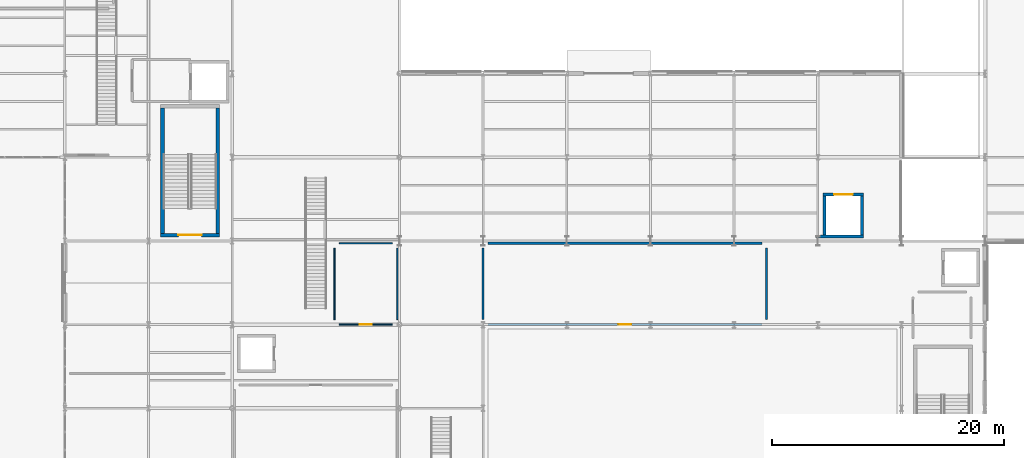
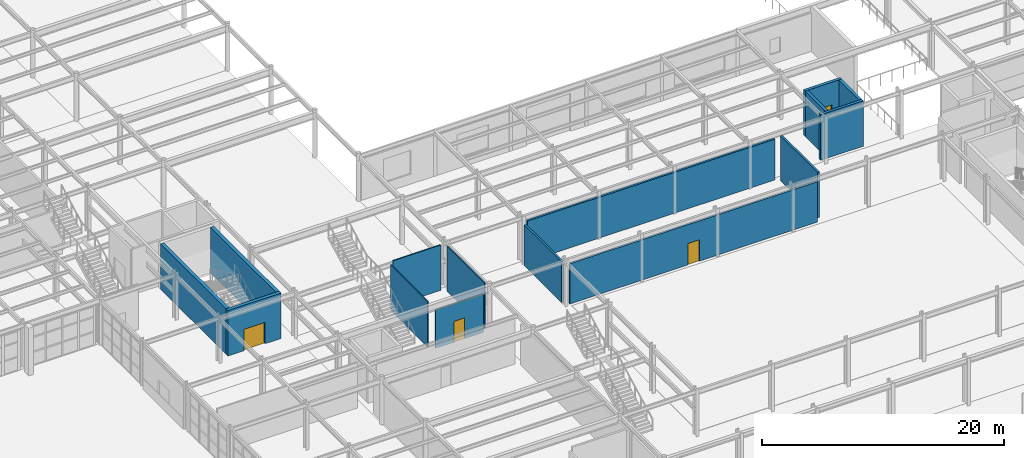
# One storey, part 59 of 83: 15 walls, 4 doors, 4 openings.
"""IFC4 building model written with IfcOpenShell, lengths in metres."""

from ifc_helpers import new_model, si_unit, direction, frame, frame_2d, origin, place, context, subcontext, project, spatial, rectangle, extrude, material, layer, layer_set, type_object, element, fill, save


model = new_model("IFC4")

# Units and contexts
model_context = context("Model", 3, precision=1e-05, world=origin(), true_north=direction((0.0, 1.0)))
body_context = subcontext(model_context, "Body", "Model", "MODEL_VIEW")
ifc_project = project(units=[si_unit("LENGTHUNIT", "METRE"), si_unit("AREAUNIT", "SQUARE_METRE"), si_unit("VOLUMEUNIT", "CUBIC_METRE"), si_unit("PLANEANGLEUNIT", "RADIAN"), si_unit("MASSUNIT", "GRAM", prefix="KILO")], contexts=[model_context])

# Site, building, storey
site_placement = place(None, origin())
site = spatial("IfcSite", under=ifc_project, at=site_placement, CompositionType="ELEMENT")
building_placement = place(site_placement, origin())
building = spatial("IfcBuilding", under=site, at=building_placement, Name="Solvadek Multi-Sports Hall", CompositionType="ELEMENT")
storey_placement = place(building_placement, origin())
storey = spatial("IfcBuildingStorey", under=building, at=storey_placement, Name="L00", CompositionType="ELEMENT", Elevation=0.0)

# Wall, opening, door
ifc_material_1 = material(Name="Autoclaved aerated concrete blockwork", Category="masonry")
ifc_layer_1 = layer(ifc_material_1, 0.10498046875, Name="Autoclaved aerated concrete blockwork")
ifc_layer_set_1 = layer_set([ifc_layer_1], Name="Autoclaved aerated concrete blockwork")
wall_type_1 = type_object("IfcWallType", Name="INT-WAL-PRT105", PredefinedType="PARTITIONING", material=ifc_layer_set_1)
wall_1_placement = place(storey_placement, frame((81.22509765625, 34.800048828125, 0.0), z_axis=(0.0, 0.0, 1.0), x_axis=(1.0, 0.0, 0.0)))
wall_1 = element("IfcWall", 1, at=wall_1_placement, inside=storey, type_object=wall_type_1, Name="L00 Partition Wall L00-12 S", PredefinedType="PARTITIONING", context=body_context, shape_type="SweptSolid", body=[
    extrude(rectangle(XDim=4.554931640625, YDim=0.10498046875, at=frame_2d((2.27734375, 0.0))), origin(), (0.0, 0.0, 1.0), 3.860107421875),
])
opening_1_placement = place(wall_1_placement, frame((1.777587890625, 0.0, 0.0)))
opening_1 = element("IfcOpeningElement", 2, at=opening_1_placement, cuts=wall_1, Name="Opening D-01", PredefinedType="OPENING", context=body_context, shape_type="SweptSolid", body=[
    extrude(rectangle(XDim=1.0, YDim=2.10009765625, at=frame_2d((0.5, 1.050048828125))), frame((0.0, 0.0625, 0.0), z_axis=(0.0, -1.0, 0.0), x_axis=(1.0, 0.0, 0.0)), (0.0, 0.0, 1.0), 0.125),
])
ifc_material_2 = material(Name="Teak hardwood timber", Category="wood")
door_type_1 = type_object("IfcDoorType", Name="INT-DOR-RM100X210", OperationType="NOTDEFINED", PredefinedType="DOOR", material=ifc_material_2)
door_1_placement = place(opening_1_placement, origin())
door_1 = element("IfcDoor", 3, at=door_1_placement, inside=storey, type_object=door_type_1, Name="L00 L00-12 Door #28", OperationType="SINGLE_SWING_LEFT", OverallHeight=2.10009765625, OverallWidth=1.0, PredefinedType="DOOR", context=body_context, shape_type="SweptSolid", body=[
    extrude(rectangle(XDim=1.0, YDim=2.10009765625, at=frame_2d((0.5, 1.050048828125))), frame((0.0, 0.02490234375, 0.0), z_axis=(0.0, -1.0, 0.0), x_axis=(1.0, 0.0, 0.0)), (0.0, 0.0, 1.0), 0.050048828125),
])
fill(opening_1, door_1)

# Walls
wall_2_placement = place(storey_placement, frame((81.22509765625, 41.800048828125, 0.0), z_axis=(0.0, 0.0, 1.0), x_axis=(1.0, 0.0, 0.0)))
element("IfcWall", 4, at=wall_2_placement, inside=storey, type_object=wall_type_1, Name="L00 Partition Wall L00-12 N", PredefinedType="PARTITIONING", context=body_context, shape_type="SweptSolid", body=[
    extrude(rectangle(XDim=4.554931640625, YDim=0.10498046875, at=frame_2d((2.27734375, 0.0))), origin(), (0.0, 0.0, 1.0), 4.56494140625),
])
for number, where, z_axis, x_axis, name in (
    (5, (80.804931640625, 35.219970703125, 0.0), (0.0, 0.0, 1.0), (0.0, 1.0, 0.0), "L00 Partition Wall L00-12 W"),
    (6, (86.199951171875, 35.219970703125, 0.0), (0.0, 0.0, 1.0), (0.0, 1.0, 0.0), "L00 Partition Wall L00-12 E"),
):
    element("IfcWall", number, at=place(storey_placement, frame(where, z_axis=z_axis, x_axis=x_axis)), inside=storey, type_object=wall_type_1, Name=name, PredefinedType="PARTITIONING", context=body_context, shape_type="SweptSolid", body=[
        extrude(rectangle(XDim=6.159912109375, YDim=0.10498046875, at=frame_2d((3.080078125, 0.0))), origin(), (0.0, 0.0, 1.0), 4.56494140625),
    ])

# Wall, opening, door
ifc_layer_2 = layer(ifc_material_1, 0.179931640625, Name="Autoclaved aerated concrete blockwork")
ifc_layer_set_2 = layer_set([ifc_layer_2], Name="Autoclaved aerated concrete blockwork")
wall_type_2 = type_object("IfcWallType", Name="INT-WAL-PRT180", PredefinedType="PARTITIONING", material=ifc_layer_set_2)
wall_3_placement = place(storey_placement, frame((94.02001953125, 34.804931640625, 0.0), z_axis=(0.0, 0.0, 1.0), x_axis=(1.0, 0.0, 0.0)))
wall_3 = element("IfcWall", 7, at=wall_3_placement, inside=storey, type_object=wall_type_2, Name="L00 Partition Wall L00-04 S", PredefinedType="PARTITIONING", context=body_context, shape_type="SweptSolid", body=[
    extrude(rectangle(XDim=23.56005859375, YDim=0.179931640625, at=frame_2d((11.780029296875, 0.0))), origin(), (0.0, 0.0, 1.0), 4.06005859375),
])
opening_2_placement = place(wall_3_placement, frame((11.22998046875, 0.0, 0.0)))
opening_2 = element("IfcOpeningElement", 8, at=opening_2_placement, cuts=wall_3, Name="Opening FD60", PredefinedType="OPENING", context=body_context, shape_type="SweptSolid", body=[
    extrude(rectangle(XDim=1.10009765625, YDim=2.14990234375, at=frame_2d((0.550048828125, 1.074951171875))), frame((0.0, 0.099853515625, 0.0), z_axis=(0.0, -1.0, 0.0), x_axis=(1.0, 0.0, 0.0)), (0.0, 0.0, 1.0), 0.199951171875),
])
ifc_material_3 = material(Name="Steel E250 (250 MPa)", Category="steel")
door_type_2 = type_object("IfcDoorType", Name="INT-DOR-FD110X215", OperationType="NOTDEFINED", PredefinedType="DOOR", material=ifc_material_3)
door_2_placement = place(opening_2_placement, origin())
door_2 = element("IfcDoor", 9, at=door_2_placement, inside=storey, type_object=door_type_2, Name="L00 L00-04 Door #24", OperationType="SINGLE_SWING_LEFT", OverallHeight=2.14990234375, OverallWidth=1.10009765625, PredefinedType="DOOR", context=body_context, shape_type="SweptSolid", body=[
    extrude(rectangle(XDim=1.10009765625, YDim=2.14990234375, at=frame_2d((0.550048828125, 1.074951171875))), frame((0.0, 0.02490234375, 0.0), z_axis=(0.0, -1.0, 0.0), x_axis=(1.0, 0.0, 0.0)), (0.0, 0.0, 1.0), 0.050048828125),
])
fill(opening_2, door_2)

# Walls
wall_4_placement = place(storey_placement, frame((94.02001953125, 41.800048828125, 0.0), z_axis=(0.0, 0.0, 1.0), x_axis=(1.0, 0.0, 0.0)))
element("IfcWall", 10, at=wall_4_placement, inside=storey, type_object=wall_type_2, Name="L00 Partition Wall L00-04 N", PredefinedType="PARTITIONING", context=body_context, shape_type="SweptSolid", body=[
    extrude(rectangle(XDim=23.56005859375, YDim=0.179931640625, at=frame_2d((11.780029296875, 0.0))), origin(), (0.0, 0.0, 1.0), 4.1201171875),
])
wall_5_placement = place(storey_placement, frame((93.60009765625, 35.22509765625, 0.0), z_axis=(0.0, 0.0, 1.0), x_axis=(0.0, 1.0, 0.0)))
element("IfcWall", 11, at=wall_5_placement, inside=storey, type_object=wall_type_2, Name="L00 Partition Wall L00-04 W", PredefinedType="PARTITIONING", context=body_context, shape_type="SweptSolid", body=[
    extrude(rectangle(XDim=6.15478515625, YDim=0.179931640625, at=frame_2d((3.077392578125, 0.0))), origin(), (0.0, 0.0, 1.0), 4.1201171875),
])
wall_6_placement = place(storey_placement, frame((118.0, 35.22509765625, 0.0), z_axis=(0.0, 0.0, 1.0), x_axis=(0.0, 1.0, 0.0)))
element("IfcWall", 12, at=wall_6_placement, inside=storey, type_object=wall_type_2, Name="L00 Partition Wall L00-04 E", PredefinedType="PARTITIONING", context=body_context, shape_type="SweptSolid", body=[
    extrude(rectangle(XDim=6.15478515625, YDim=0.179931640625, at=frame_2d((3.077392578125, 0.0))), origin(), (0.0, 0.0, 1.0), 4.56494140625),
])
ifc_material_4 = material(Name="Concrete M40", Category="concrete")
ifc_layer_3 = layer(ifc_material_4, 0.260009765625, Name="Concrete M40")
ifc_layer_set_3 = layer_set([ifc_layer_3], Name="Concrete M40")
wall_type_3 = type_object("IfcWallType", Name="INT-WAL-SHR260", PredefinedType="SHEAR", material=ifc_layer_set_3)
wall_7_placement = place(storey_placement, frame((122.25, 42.39990234375, 0.0), z_axis=(0.0, 0.0, 1.0), x_axis=(1.0, 0.0, 0.0)))
element("IfcWall", 13, at=wall_7_placement, inside=storey, type_object=wall_type_3, Name="Lift LG-01 Shaft Shear Wall L00 south", PredefinedType="SHEAR", context=body_context, shape_type="SweptSolid", body=[
    extrude(rectangle(XDim=4.080078125, YDim=0.260009765625, at=frame_2d((2.0400390625, 0.0))), origin(), (0.0, 0.0, 1.0), 4.580078125),
])

# Wall, opening, door
wall_8_placement = place(storey_placement, frame((122.8701171875, 46.0, 0.0), z_axis=(0.0, 0.0, 1.0), x_axis=(1.0, 0.0, 0.0)))
wall_8 = element("IfcWall", 14, at=wall_8_placement, inside=storey, type_object=wall_type_3, Name="Lift LG-01 Shaft Shear Wall L00 north", PredefinedType="SHEAR", context=body_context, shape_type="SweptSolid", body=[
    extrude(rectangle(XDim=3.4599609375, YDim=0.260009765625, at=frame_2d((1.72998046875, 0.0))), origin(), (0.0, 0.0, 1.0), 4.580078125),
])
opening_3_placement = place(wall_8_placement, frame((0.929931640625, 0.0, 0.0)))
opening_3 = element("IfcOpeningElement", 15, at=opening_3_placement, cuts=wall_8, Name="Opening LD-25", PredefinedType="OPENING", context=body_context, shape_type="SweptSolid", body=[
    extrude(rectangle(XDim=1.60009765625, YDim=2.300048828125, at=frame_2d((0.800048828125, 1.14990234375))), frame((0.0, 0.139892578125, 0.0), z_axis=(0.0, -1.0, 0.0), x_axis=(1.0, 0.0, 0.0)), (0.0, 0.0, 1.0), 0.280029296875),
])
door_type_3 = type_object("IfcDoorType", Name="INT-DOR-LD160X230", OperationType="DOUBLE_DOOR_SLIDING", PredefinedType="DOOR", material=ifc_material_3)
door_3_placement = place(opening_3_placement, origin())
door_3 = element("IfcDoor", 16, at=door_3_placement, inside=storey, type_object=door_type_3, Name="L00 Lift LG-01 Sliding Landing Door LD-25", OperationType="DOUBLE_DOOR_SLIDING", OverallHeight=2.300048828125, OverallWidth=1.60009765625, PredefinedType="DOOR", context=body_context, shape_type="SweptSolid", body=[
    extrude(rectangle(XDim=1.60009765625, YDim=2.300048828125, at=frame_2d((0.800048828125, 1.14990234375))), frame((0.0, 0.02490234375, 0.0), z_axis=(0.0, -1.0, 0.0), x_axis=(1.0, 0.0, 0.0)), (0.0, 0.0, 1.0), 0.050048828125),
])
fill(opening_3, door_3)

# Walls
for number, where, z_axis, x_axis, name in (
    (17, (123.0, 42.530029296875, 0.0), (0.0, 0.0, 1.0), (0.0, 1.0, 0.0), "Lift LG-01 Shaft Shear Wall L00 west"),
    (18, (126.199951171875, 42.530029296875, 0.0), (0.0, 0.0, 1.0), (0.0, 1.0, 0.0), "Lift LG-01 Shaft Shear Wall L00 east"),
):
    element("IfcWall", number, at=place(storey_placement, frame(where, z_axis=z_axis, x_axis=x_axis)), inside=storey, type_object=wall_type_3, Name=name, PredefinedType="SHEAR", context=body_context, shape_type="SweptSolid", body=[
        extrude(rectangle(XDim=3.340087890625, YDim=0.260009765625, at=frame_2d((1.669921875, 0.0))), origin(), (0.0, 0.0, 1.0), 4.580078125),
    ])

# Wall, opening, door
ifc_layer_4 = layer(ifc_material_4, 0.320068359375, Name="Concrete M40")
ifc_layer_set_4 = layer_set([ifc_layer_4], Name="Concrete M40")
wall_type_4 = type_object("IfcWallType", Name="INT-WAL-SHR320", PredefinedType="SHEAR", material=ifc_layer_set_4)
wall_9_placement = place(storey_placement, frame((65.840087890625, 42.5, 0.0), z_axis=(0.0, 0.0, 1.0), x_axis=(1.0, 0.0, 0.0)))
wall_9 = element("IfcWall", 19, at=wall_9_placement, inside=storey, type_object=wall_type_4, Name="L00 Stair ST-04 Shear Wall S", PredefinedType="SHEAR", context=body_context, shape_type="SweptSolid", body=[
    extrude(rectangle(XDim=5.06982421875, YDim=0.320068359375, at=frame_2d((2.534912109375, 0.0))), origin(), (0.0, 0.0, 1.0), 4.580078125),
])
opening_4_placement = place(wall_9_placement, frame((1.534912109375, 0.0, 0.0)))
opening_4 = element("IfcOpeningElement", 20, at=opening_4_placement, cuts=wall_9, Name="Opening FD120", PredefinedType="OPENING", context=body_context, shape_type="SweptSolid", body=[
    extrude(rectangle(XDim=2.0, YDim=2.14990234375, at=frame_2d((1.0, 1.074951171875))), frame((0.0, 0.169921875, 0.0), z_axis=(0.0, -1.0, 0.0), x_axis=(1.0, 0.0, 0.0)), (0.0, 0.0, 1.0), 0.340087890625),
])
door_type_4 = type_object("IfcDoorType", Name="INT-DOR-FD200X215", OperationType="DOUBLE_DOOR_SINGLE_SWING", PredefinedType="DOOR", material=ifc_material_3)
door_4_placement = place(opening_4_placement, origin())
door_4 = element("IfcDoor", 21, at=door_4_placement, inside=storey, type_object=door_type_4, Name="L00 Stair ST-04 Fire Door", OperationType="DOUBLE_DOOR_SINGLE_SWING", OverallHeight=2.14990234375, OverallWidth=2.0, PredefinedType="DOOR", context=body_context, shape_type="SweptSolid", body=[
    extrude(rectangle(XDim=2.0, YDim=2.14990234375, at=frame_2d((1.0, 1.074951171875))), frame((0.0, 0.02490234375, 0.0), z_axis=(0.0, -1.0, 0.0), x_axis=(1.0, 0.0, 0.0)), (0.0, 0.0, 1.0), 0.050048828125),
])
fill(opening_4, door_4)

# Walls
for number, where, z_axis, x_axis, name in (
    (22, (66.0, 42.659912109375, 0.0), (0.0, 0.0, 1.0), (0.0, 1.0, 0.0), "L00 Stair ST-04 Shear Wall W"),
    (23, (70.75, 42.659912109375, 0.0), (0.0, 0.0, 1.0), (0.0, 1.0, 0.0), "L00 Stair ST-04 Shear Wall E"),
):
    element("IfcWall", number, at=place(storey_placement, frame(where, z_axis=z_axis, x_axis=x_axis)), inside=storey, type_object=wall_type_4, Name=name, PredefinedType="SHEAR", context=body_context, shape_type="SweptSolid", body=[
        extrude(rectangle(XDim=10.780029296875, YDim=0.320068359375, at=frame_2d((5.39013671875, 0.0))), origin(), (0.0, 0.0, 1.0), 4.580078125),
    ])

save(model, "model.ifc")
